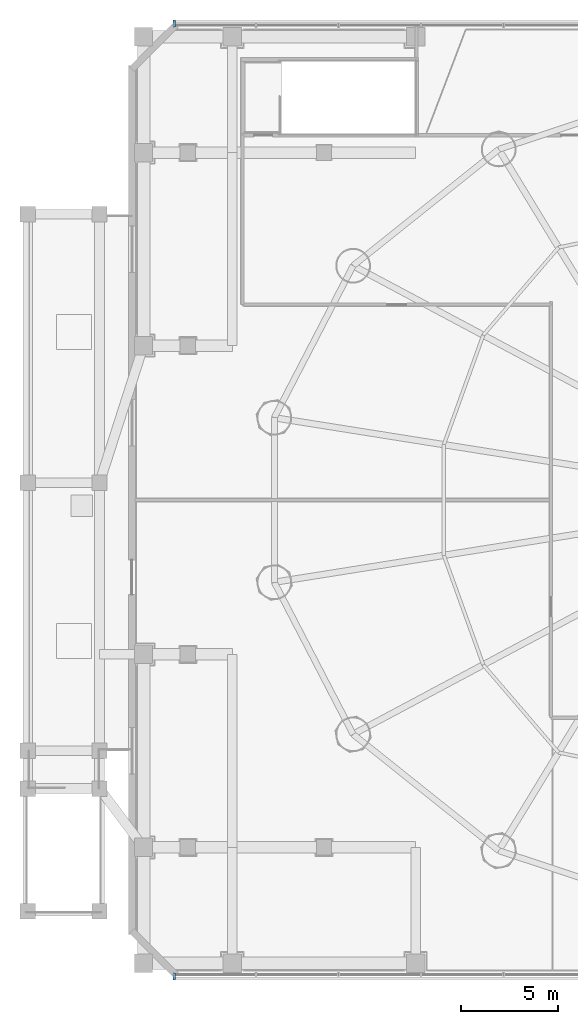
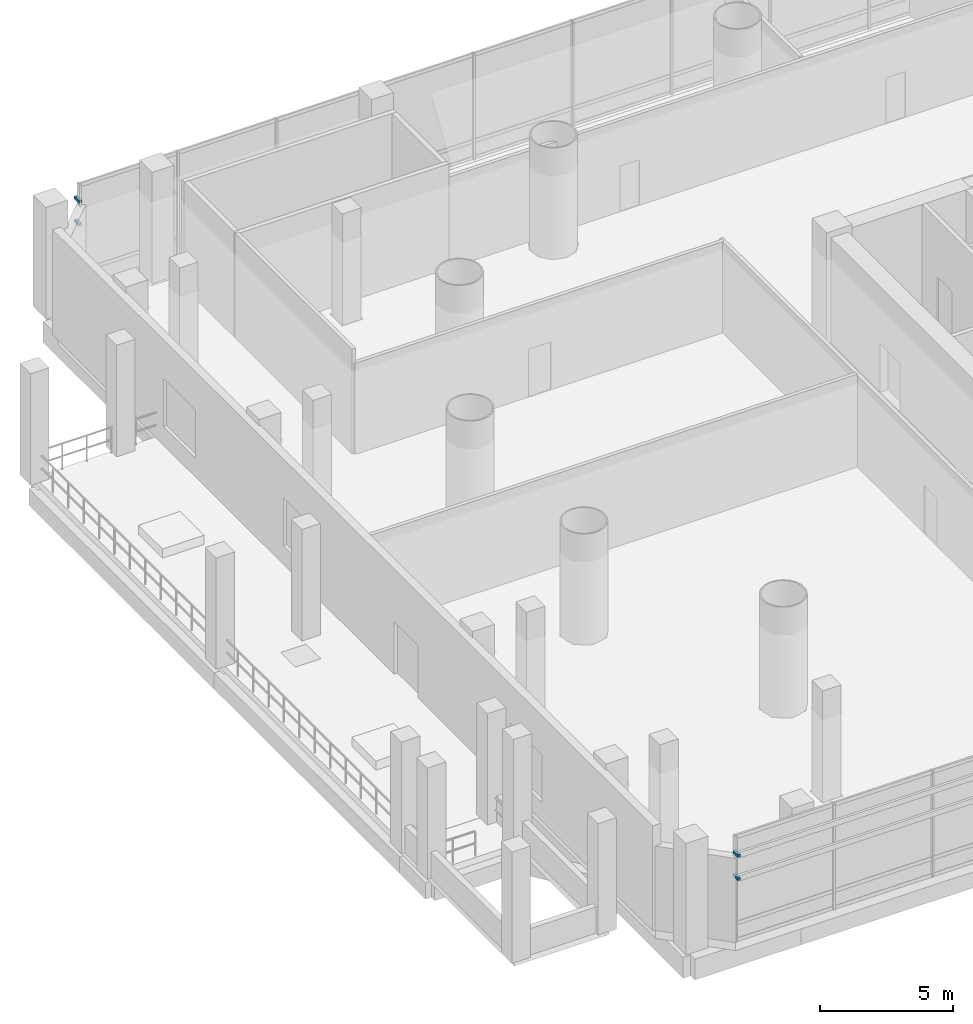
# One storey, part 25 of 31: 4 discrete accessories.
"""IFC4 building model written with IfcOpenShell, lengths in metres."""

from ifc_helpers import new_model, si_unit, direction, frame, origin, origin_2d, place, context, subcontext, project, spatial, rectangle, extrude, source, transform, mapped, material, layer, layer_set, type_object, element, save


model = new_model("IFC4")

# Units and contexts
model_context = context("Model", 3, precision=1e-05, world=origin(), true_north=direction((-0.2419218956, 0.970295726276)))
body_context = subcontext(model_context, "Body", "Model", "MODEL_VIEW")
ifc_project = project(units=[si_unit("LENGTHUNIT", "METRE"), si_unit("AREAUNIT", "SQUARE_METRE"), si_unit("VOLUMEUNIT", "CUBIC_METRE"), si_unit("PLANEANGLEUNIT", "RADIAN"), si_unit("MASSUNIT", "GRAM", prefix="KILO")], contexts=[model_context])

# Site, building, storey
site_placement = place(None, origin())
site = spatial("IfcSite", under=ifc_project, at=site_placement, CompositionType="ELEMENT")
building_placement = place(site_placement, origin())
building = spatial("IfcBuilding", under=site, at=building_placement, Name="Cobrevalo Terracotta Tower", CompositionType="ELEMENT")
storey_placement = place(building_placement, frame((0.0, 0.0, 18.89990234375)))
storey = spatial("IfcBuildingStorey", under=building, at=storey_placement, Name="L04", CompositionType="ELEMENT", Elevation=18.89990234375)

# Discrete accessories
ifc_material = material(Name="Brushed stainless steel", Category="steel")
ifc_layer = layer(ifc_material, 0.1201171875)
ifc_layer_set = layer_set([ifc_layer], Name="Brushed stainless steel")
discrete_accessory_type = type_object("IfcDiscreteAccessoryType", Name="Stainless Steel Facade & Canopy Support Bracket", PredefinedType="BRACKET", material=ifc_layer_set)
shared_shape = source(origin(), body_context, "Body", "SweptSolid", [
    extrude(rectangle(XDim=0.1201171875, YDim=0.360107421875, at=origin_2d()), origin(), (0.0, 0.0, 1.0), 0.1201171875),
])
for number, where, z_axis, x_axis, name in (
    (1, (5.989990234375, 2.110107421875, 2.928466796875), (0.0, 0.0, 1.0), (1.0, 0.0, 0.0), "CW-POD-L04-S stainless baguette support bracket 1-A"),
    (2, (5.989990234375, 2.110107421875, 3.98876953125), (0.0, 0.0, 1.0), (1.0, 0.0, 0.0), "CW-POD-L04-S stainless baguette support bracket 2-A"),
    (3, (5.989990234375, 51.489990234375, 2.928466796875), (0.0, 0.0, 1.0), (-1.0, 0.0, 0.0), "CW-POD-L04-N stainless baguette support bracket 1-B"),
    (4, (5.989990234375, 51.489990234375, 3.98876953125), (0.0, 0.0, 1.0), (-1.0, 0.0, 0.0), "CW-POD-L04-N stainless baguette support bracket 2-B"),
):
    element("IfcDiscreteAccessory", number, at=place(storey_placement, frame(where, z_axis=z_axis, x_axis=x_axis)), inside=storey, type_object=discrete_accessory_type, Name=name, PredefinedType="BRACKET", context=body_context, shape_type="MappedRepresentation", body=[
        mapped(shared_shape, transform((0.0, 0.0, 0.0), scale=1.0)),
    ])

save(model, "model.ifc")
